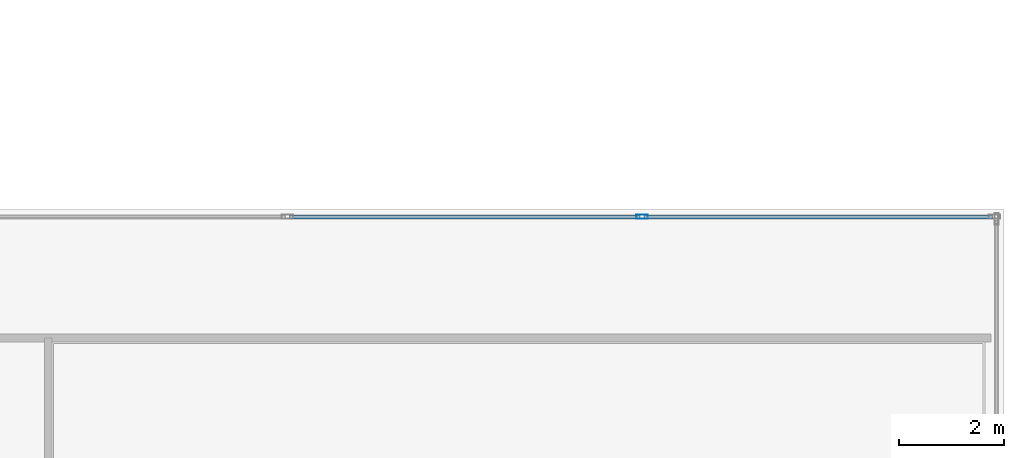
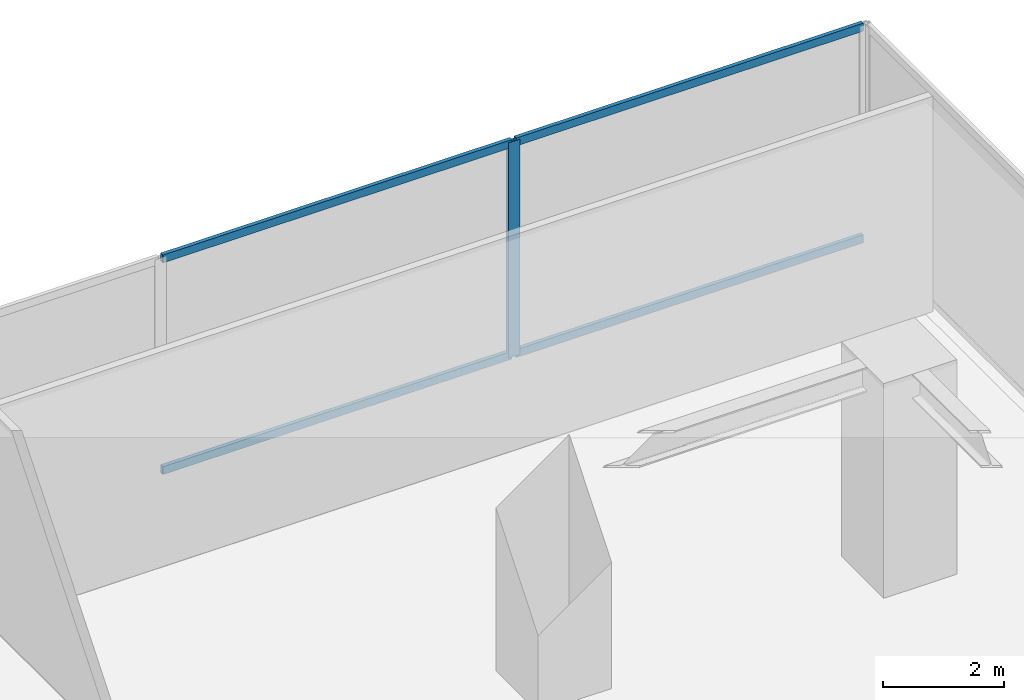
# One storey, part 6 of 18: 5 members, 1 element without a shape of its own.
"""IFC4 building model written with IfcOpenShell, lengths in metres."""

from ifc_helpers import new_model, si_unit, direction, frame, origin, origin_with_axes, origin_2d, place, context, subcontext, project, spatial, hollow_rectangle, extrude, source, transform, mapped, material, layer, layer_set, material_profile, profile_set, type_object, element, aggregate, save


model = new_model("IFC4")

# Units and contexts
model_context = context("Model", 3, precision=1e-05, world=origin(), true_north=direction((0.0, 1.0)))
body_context = subcontext(model_context, "Body", "Model", "MODEL_VIEW")
ifc_project = project(units=[si_unit("LENGTHUNIT", "METRE"), si_unit("AREAUNIT", "SQUARE_METRE"), si_unit("VOLUMEUNIT", "CUBIC_METRE"), si_unit("PLANEANGLEUNIT", "RADIAN"), si_unit("MASSUNIT", "GRAM", prefix="KILO")], contexts=[model_context])

# Site, building, storey
site_placement = place(None, origin())
site = spatial("IfcSite", under=ifc_project, at=site_placement, CompositionType="ELEMENT")
building_placement = place(site_placement, origin())
building = spatial("IfcBuilding", under=site, at=building_placement, Name="Kolvaren Waterfront Exchange", CompositionType="ELEMENT")
storey_placement = place(building_placement, frame((0.0, 0.0, 24.800048828125)))
storey = spatial("IfcBuildingStorey", under=building, at=storey_placement, Name="L06", CompositionType="ELEMENT", Elevation=24.800048828125)

# Curtain wall, members
ifc_material_1 = material(Name="Anodised bronze aluminium 6063-T6", Category="aluminium")
ifc_layer = layer(ifc_material_1, 0.219970703125, Name="Anodised bronze aluminium 6063-T6")
ifc_layer_set = layer_set([ifc_layer], Name="Anodised bronze aluminium 6063-T6")
curtain_wall_type = type_object("IfcCurtainWallType", Name="ARC-CW-SYS4", PredefinedType="USERDEFINED", material=ifc_layer_set)
curtain_wall_placement = place(storey_placement, origin())
curtain_wall = element("IfcCurtainWall", 1, at=curtain_wall_placement, inside=storey, type_object=curtain_wall_type, Name="L06 stick curtain wall CW4 (CW-L06-E2)", ObjectType="STICK CURTAIN WALL", PredefinedType="USERDEFINED")
ifc_material_2 = material(Name="Anodised aluminium 6063-T6", Category="aluminium")
ifc_material_profile_1 = material_profile(ifc_material_2, hollow_rectangle(XDim=0.074951171875, YDim=0.159912109375, WallThickness=0.00439453125, at=origin_2d()), Name="ALU-TRN-160x75x4.5")
ifc_profile_set_1 = profile_set([ifc_material_profile_1], Name="Anodised aluminium 6063-T6")
member_type_1 = type_object("IfcMemberType", Name="ARC-CWT-160", PredefinedType="USERDEFINED", material=ifc_profile_set_1)
shared_shape_1 = source(origin_with_axes(), body_context, "Body", "SweptSolid", [
    extrude(hollow_rectangle(XDim=0.074951171875, YDim=0.159912109375, WallThickness=0.00439453125, at=origin_2d()), origin(), (0.0, 0.0, 1.0), 6.632568359375),
])
member_1_placement = place(storey_placement, frame((64.580078125, 39.06005859375, 0.037353515625), z_axis=(-1.0, 0.0, 0.0), x_axis=(0.0, -1.0, 0.0)))
member_1 = element("IfcMember", 2, at=member_1_placement, type_object=member_type_1, Name="CW4 transom 1.1", ObjectType="TRANSOM", PredefinedType="USERDEFINED", context=body_context, shape_type="MappedRepresentation", body=[
    mapped(shared_shape_1, transform((0.0, 0.0, 0.0), x_axis=(1.0, 0.0, 0.0), y_axis=(0.0, 1.0, 0.0), z_axis=(0.0, 0.0, 1.0), scale=1.0)),
])
member_2_placement = place(storey_placement, frame((64.580078125, 39.06005859375, 4.3125), z_axis=(-1.0, 0.0, 0.0), x_axis=(0.0, -1.0, 0.0)))
member_2 = element("IfcMember", 3, at=member_2_placement, type_object=member_type_1, Name="CW4 transom 1.2", ObjectType="TRANSOM", PredefinedType="USERDEFINED", context=body_context, shape_type="MappedRepresentation", body=[
    mapped(shared_shape_1, transform((0.0, 0.0, 0.0), x_axis=(1.0, 0.0, 0.0), y_axis=(0.0, 1.0, 0.0), z_axis=(0.0, 0.0, 1.0), scale=1.0)),
])
shared_shape_2 = source(origin_with_axes(), body_context, "Body", "SweptSolid", [
    extrude(hollow_rectangle(XDim=0.074951171875, YDim=0.159912109375, WallThickness=0.00439453125, at=origin_2d()), origin(), (0.0, 0.0, 1.0), 6.67236328125),
])
member_3_placement = place(storey_placement, frame((57.867431640625, 39.06005859375, 0.037353515625), z_axis=(-1.0, 0.0, 0.0), x_axis=(0.0, -1.0, 0.0)))
member_3 = element("IfcMember", 4, at=member_3_placement, type_object=member_type_1, Name="CW4 transom 2.1", ObjectType="TRANSOM", PredefinedType="USERDEFINED", context=body_context, shape_type="MappedRepresentation", body=[
    mapped(shared_shape_2, transform((0.0, 0.0, 0.0), x_axis=(1.0, 0.0, 0.0), y_axis=(0.0, 1.0, 0.0), z_axis=(0.0, 0.0, 1.0), scale=1.0)),
])
member_4_placement = place(storey_placement, frame((57.867431640625, 39.06005859375, 4.3125), z_axis=(-1.0, 0.0, 0.0), x_axis=(0.0, -1.0, 0.0)))
member_4 = element("IfcMember", 5, at=member_4_placement, type_object=member_type_1, Name="CW4 transom 2.2", ObjectType="TRANSOM", PredefinedType="USERDEFINED", context=body_context, shape_type="MappedRepresentation", body=[
    mapped(shared_shape_2, transform((0.0, 0.0, 0.0), x_axis=(1.0, 0.0, 0.0), y_axis=(0.0, 1.0, 0.0), z_axis=(0.0, 0.0, 1.0), scale=1.0)),
])
ifc_material_profile_2 = material_profile(ifc_material_2, hollow_rectangle(XDim=0.080078125, YDim=0.219970703125, WallThickness=0.0048828125, at=origin_2d()), Name="ALU-MUL-220x80x5")
ifc_profile_set_2 = profile_set([ifc_material_profile_2], Name="Anodised aluminium 6063-T6")
member_type_2 = type_object("IfcMemberType", Name="ARC-CWM-220", PredefinedType="MULLION", material=ifc_profile_set_2)
shared_shape_3 = source(origin_with_axes(), body_context, "Body", "SweptSolid", [
    extrude(hollow_rectangle(XDim=0.080078125, YDim=0.219970703125, WallThickness=0.0048828125, at=origin_2d()), origin(), (0.0, 0.0, 1.0), 4.349853515625),
])
member_5_placement = place(storey_placement, frame((57.907470703125, 39.06005859375, 0.0), z_axis=(0.0, 0.0, 1.0), x_axis=(0.0, -1.0, 0.0)))
member_5 = element("IfcMember", 6, at=member_5_placement, type_object=member_type_2, Name="CW4 mullion 2", PredefinedType="MULLION", context=body_context, shape_type="MappedRepresentation", body=[
    mapped(shared_shape_3, transform((0.0, 0.0, 0.0), x_axis=(1.0, 0.0, 0.0), y_axis=(0.0, 1.0, 0.0), z_axis=(0.0, 0.0, 1.0), scale=1.0)),
])
aggregate(curtain_wall, [member_5, member_1, member_2, member_3, member_4])

save(model, "model.ifc")
